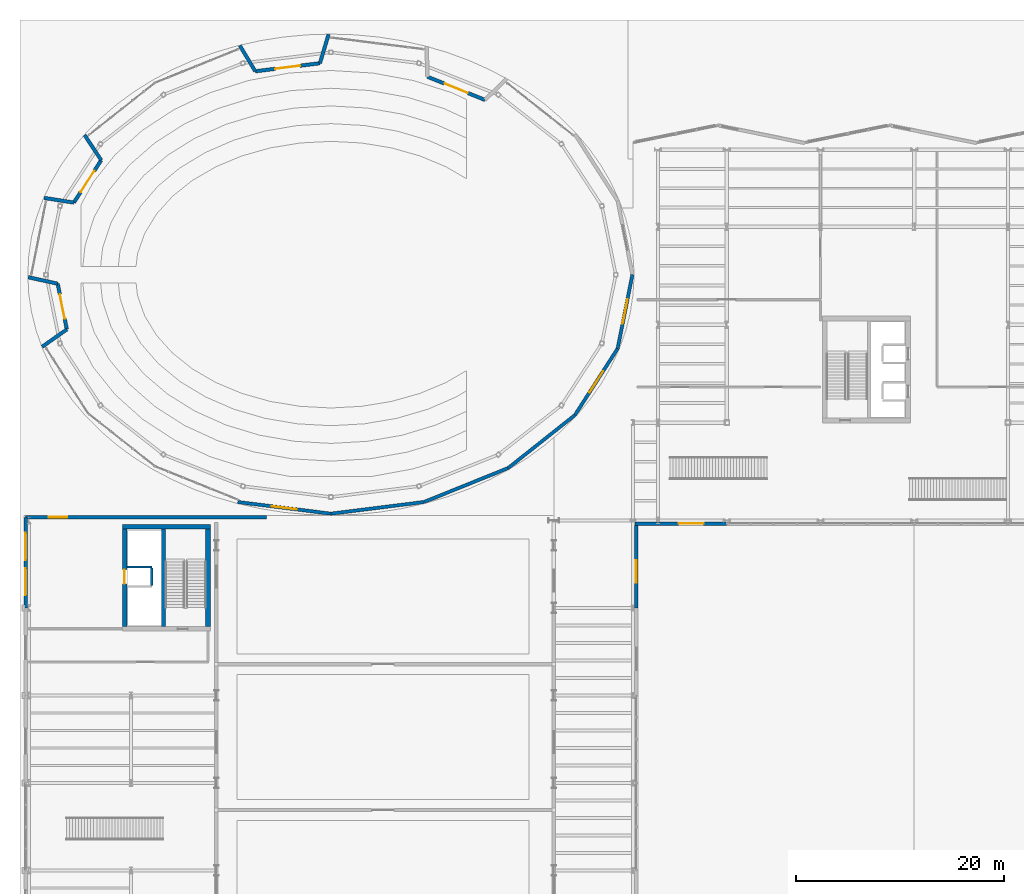
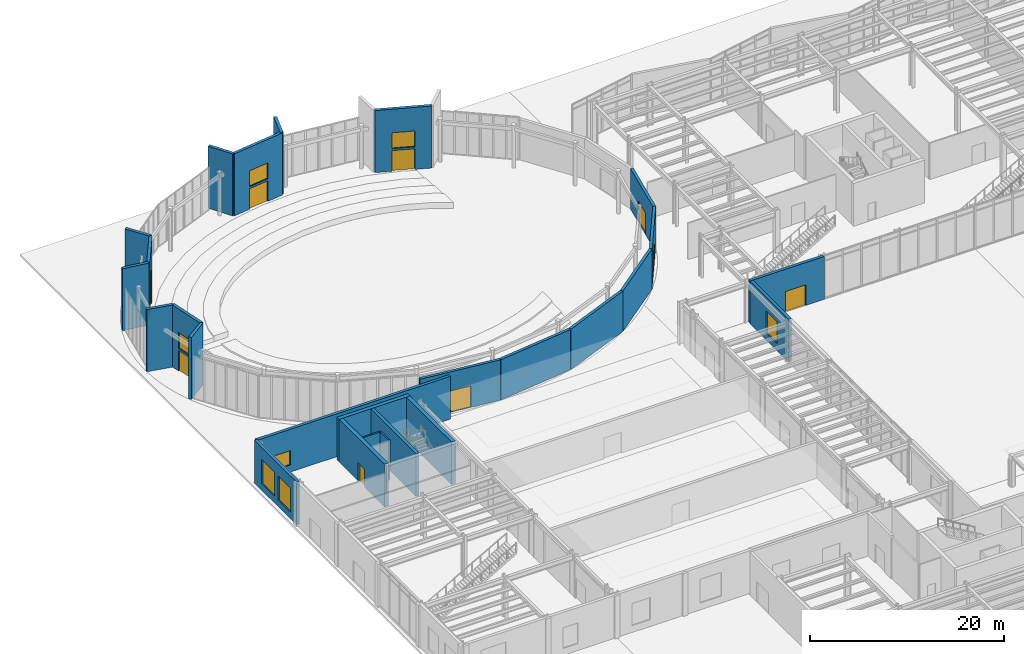
# One storey, part 75 of 94: 26 walls, 9 doors, 8 windows, 17 openings.
"""IFC4 building model written with IfcOpenShell, lengths in metres."""

from ifc_helpers import new_model, si_unit, direction, frame, frame_2d, origin, place, context, subcontext, project, spatial, rectangle, extrude, material, layer, layer_set, type_object, element, fill, save


model = new_model("IFC4")

# Units and contexts
model_context = context("Model", 3, precision=1e-05, world=origin(), true_north=direction((0.0, 1.0)))
body_context = subcontext(model_context, "Body", "Model", "MODEL_VIEW")
ifc_project = project(units=[si_unit("LENGTHUNIT", "METRE"), si_unit("AREAUNIT", "SQUARE_METRE"), si_unit("VOLUMEUNIT", "CUBIC_METRE"), si_unit("PLANEANGLEUNIT", "RADIAN"), si_unit("MASSUNIT", "GRAM", prefix="KILO")], contexts=[model_context])

# Site, building, storey
site_placement = place(None, origin())
site = spatial("IfcSite", under=ifc_project, at=site_placement, CompositionType="ELEMENT")
building_placement = place(site_placement, origin())
building = spatial("IfcBuilding", under=site, at=building_placement, Name="Sollismere Congress Hotel", CompositionType="ELEMENT")
storey_placement = place(building_placement, origin())
storey = spatial("IfcBuildingStorey", under=building, at=storey_placement, Name="L00", CompositionType="ELEMENT", Elevation=0.0)

# Wall, openings, door, window
ifc_material_1 = material(Name="Colorado Buff Sandstone and Limestone Backup C40/50", Category="masonry")
ifc_layer_1 = layer(ifc_material_1, 0.340087890625, Name="Colorado Buff Sandstone and Limestone Backup C40/50")
ifc_layer_set_1 = layer_set([ifc_layer_1], Name="Colorado Buff Sandstone and Limestone Backup C40/50")
wall_type_1 = type_object("IfcWallType", Name="WL-EXT340", PredefinedType="STANDARD", material=ifc_layer_set_1)
wall_1_placement = place(storey_placement, frame((43.78662109375, 107.1767578125, 0.0), z_axis=(0.0, 0.0, 1.0), x_axis=(-0.927458710945, 0.373925580152, 0.0)))
wall_1 = element("IfcWall", 1, at=wall_1_placement, inside=storey, type_object=wall_type_1, Name="Exterior wall EW-L00-011", PredefinedType="STANDARD", context=body_context, shape_type="SweptSolid", body=[
    extrude(rectangle(XDim=5.94140625, YDim=0.340087890625, at=frame_2d((2.970703125, 0.0))), origin(), (0.0, 0.0, 1.0), 7.820068359375),
])
opening_1_placement = place(wall_1_placement, frame((1.770751953125, 0.0, 0.0)))
opening_1 = element("IfcOpeningElement", 2, at=opening_1_placement, cuts=wall_1, Name="Opening D-L00-E02", PredefinedType="OPENING", context=body_context, shape_type="SweptSolid", body=[
    extrude(rectangle(XDim=2.39990234375, YDim=2.60009765625, at=frame_2d((1.199951171875, 1.300048828125))), frame((0.0, 0.179931640625, 0.0), z_axis=(0.0, -1.0, 0.0), x_axis=(1.0, 0.0, 0.0)), (0.0, 0.0, 1.0), 0.360107421875),
])
opening_2_placement = place(wall_1_placement, frame((1.770751953125, 0.0, 2.85009765625)))
opening_2 = element("IfcOpeningElement", 3, at=opening_2_placement, cuts=wall_1, Name="Opening W-L00-001", PredefinedType="OPENING", context=body_context, shape_type="SweptSolid", body=[
    extrude(rectangle(XDim=2.39990234375, YDim=2.0, at=frame_2d((1.199951171875, 1.0))), frame((0.0, 0.179931640625, 0.0), z_axis=(0.0, -1.0, 0.0), x_axis=(1.0, 0.0, 0.0)), (0.0, 0.0, 1.0), 0.360107421875),
])
ifc_material_2 = material(Name="Thermally Broken Bronze-Anodized Aluminum & Laminated Glass", Category="aluminium")
door_type_1 = type_object("IfcDoorType", Name="DR-EX240", OperationType="DOUBLE_DOOR_SINGLE_SWING", PredefinedType="DOOR", material=ifc_material_2)
door_1_placement = place(opening_1_placement, frame((2.39990234375, 0.0, 0.0), z_axis=(0.0, 0.0, 1.0), x_axis=(-1.0, 0.0, 0.0)))
door_1 = element("IfcDoor", 4, at=door_1_placement, inside=storey, type_object=door_type_1, Name="DOR-D-L00-E02", OperationType="DOUBLE_DOOR_SINGLE_SWING", OverallHeight=2.60009765625, OverallWidth=2.39990234375, PredefinedType="DOOR", context=body_context, shape_type="SweptSolid", body=[
    extrude(rectangle(XDim=2.39990234375, YDim=2.60009765625, at=frame_2d((1.199951171875, 1.300048828125))), frame((0.0, 0.02490234375, 0.0), z_axis=(0.0, -1.0, 0.0), x_axis=(1.0, 0.0, 0.0)), (0.0, 0.0, 1.0), 0.050048828125),
])
fill(opening_1, door_1)
ifc_material_3 = material(Name="Thermally Broken Bronze Aluminum & Low-E Glass", Category="aluminium")
window_type_1 = type_object("IfcWindowType", Name="WN-P240x200", PartitioningType="SINGLE_PANEL", PredefinedType="WINDOW", material=ifc_material_3)
window_1_placement = place(opening_2_placement, origin())
window_1 = element("IfcWindow", 5, at=window_1_placement, inside=storey, type_object=window_type_1, Name="WIN-W-L00-001", OverallHeight=2.0, OverallWidth=2.39990234375, PartitioningType="SINGLE_PANEL", PredefinedType="WINDOW", context=body_context, shape_type="SweptSolid", body=[
    extrude(rectangle(XDim=2.39990234375, YDim=2.0, at=frame_2d((1.199951171875, 1.0))), frame((0.0, 0.030029296875, 0.0), z_axis=(0.0, -1.0, 0.0), x_axis=(1.0, 0.0, 0.0)), (0.0, 0.0, 1.0), 0.06005859375),
])
fill(opening_2, window_1)

# Walls
wall_2_placement = place(storey_placement, frame((28.77783203125, 113.474853515625, 0.0), z_axis=(0.0, 0.0, 1.0), x_axis=(-0.286976718418, -0.957937556987, 0.0)))
element("IfcWall", 6, at=wall_2_placement, inside=storey, type_object=wall_type_1, Name="Exterior wall EW-L00-012", PredefinedType="STANDARD", context=body_context, shape_type="SweptSolid", body=[
    extrude(rectangle(XDim=2.896728515625, YDim=0.340087890625, at=frame_2d((1.4482421875, 0.0))), origin(), (0.0, 0.0, 1.0), 7.820068359375),
])
wall_3_placement = place(storey_placement, frame((21.741455078125, 109.922119140625, 0.0), z_axis=(0.0, 0.0, 1.0), x_axis=(-0.514495755428, 0.857492925713, 0.0)))
element("IfcWall", 7, at=wall_3_placement, inside=storey, type_object=wall_type_1, Name="Exterior wall EW-L00-013", PredefinedType="STANDARD", context=body_context, shape_type="SweptSolid", body=[
    extrude(rectangle(XDim=2.89697265625, YDim=0.340087890625, at=frame_2d((1.448486328125, 0.0))), origin(), (0.0, 0.0, 1.0), 7.820068359375),
])

# Wall, openings, door, window
wall_4_placement = place(storey_placement, frame((27.946533203125, 110.699951171875, 0.0), z_axis=(0.0, 0.0, 1.0), x_axis=(-0.992234572363, -0.124380679397, 0.0)))
wall_4 = element("IfcWall", 8, at=wall_4_placement, inside=storey, type_object=wall_type_1, Name="Exterior wall EW-L00-014", PredefinedType="STANDARD", context=body_context, shape_type="SweptSolid", body=[
    extrude(rectangle(XDim=6.253662109375, YDim=0.340087890625, at=frame_2d((3.126953125, 0.0))), origin(), (0.0, 0.0, 1.0), 7.820068359375),
])
opening_3_placement = place(wall_4_placement, frame((1.9267578125, 0.0, 0.0)))
opening_3 = element("IfcOpeningElement", 9, at=opening_3_placement, cuts=wall_4, Name="Opening D-L00-E03", PredefinedType="OPENING", context=body_context, shape_type="SweptSolid", body=[
    extrude(rectangle(XDim=2.39990234375, YDim=2.60009765625, at=frame_2d((1.199951171875, 1.300048828125))), frame((0.0, 0.179931640625, 0.0), z_axis=(0.0, -1.0, 0.0), x_axis=(1.0, 0.0, 0.0)), (0.0, 0.0, 1.0), 0.360107421875),
])
opening_4_placement = place(wall_4_placement, frame((1.9267578125, 0.0, 2.85009765625)))
opening_4 = element("IfcOpeningElement", 10, at=opening_4_placement, cuts=wall_4, Name="Opening W-L00-002", PredefinedType="OPENING", context=body_context, shape_type="SweptSolid", body=[
    extrude(rectangle(XDim=2.39990234375, YDim=2.0, at=frame_2d((1.199951171875, 1.0))), frame((0.0, 0.179931640625, 0.0), z_axis=(0.0, -1.0, 0.0), x_axis=(1.0, 0.0, 0.0)), (0.0, 0.0, 1.0), 0.360107421875),
])
door_2_placement = place(opening_3_placement, frame((2.39990234375, 0.0, 0.0), z_axis=(0.0, 0.0, 1.0), x_axis=(-1.0, 0.0, 0.0)))
door_2 = element("IfcDoor", 11, at=door_2_placement, inside=storey, type_object=door_type_1, Name="DOR-D-L00-E03", OperationType="DOUBLE_DOOR_SINGLE_SWING", OverallHeight=2.60009765625, OverallWidth=2.39990234375, PredefinedType="DOOR", context=body_context, shape_type="SweptSolid", body=[
    extrude(rectangle(XDim=2.39990234375, YDim=2.60009765625, at=frame_2d((1.199951171875, 1.300048828125))), frame((0.0, 0.02490234375, 0.0), z_axis=(0.0, -1.0, 0.0), x_axis=(1.0, 0.0, 0.0)), (0.0, 0.0, 1.0), 0.050048828125),
])
fill(opening_3, door_2)
window_2_placement = place(opening_4_placement, origin())
window_2 = element("IfcWindow", 12, at=window_2_placement, inside=storey, type_object=window_type_1, Name="WIN-W-L00-002", OverallHeight=2.0, OverallWidth=2.39990234375, PartitioningType="SINGLE_PANEL", PredefinedType="WINDOW", context=body_context, shape_type="SweptSolid", body=[
    extrude(rectangle(XDim=2.39990234375, YDim=2.0, at=frame_2d((1.199951171875, 1.0))), frame((0.0, 0.030029296875, 0.0), z_axis=(0.0, -1.0, 0.0), x_axis=(1.0, 0.0, 0.0)), (0.0, 0.0, 1.0), 0.06005859375),
])
fill(opening_4, window_2)

# Walls
wall_5_placement = place(storey_placement, frame((5.34912109375, 103.810302734375, 0.0), z_axis=(0.0, 0.0, 1.0), x_axis=(0.55043353984, -0.834878984176, 0.0)))
element("IfcWall", 13, at=wall_5_placement, inside=storey, type_object=wall_type_1, Name="Exterior wall EW-L00-015", PredefinedType="STANDARD", context=body_context, shape_type="SweptSolid", body=[
    extrude(rectangle(XDim=2.896728515625, YDim=0.340087890625, at=frame_2d((1.4482421875, 0.0))), origin(), (0.0, 0.0, 1.0), 7.820068359375),
])
wall_6_placement = place(storey_placement, frame((4.32177734375, 97.320068359375, 0.0), z_axis=(0.0, 0.0, 1.0), x_axis=(-0.987810751767, 0.155659624479, 0.0)))
element("IfcWall", 14, at=wall_6_placement, inside=storey, type_object=wall_type_1, Name="Exterior wall EW-L00-016", PredefinedType="STANDARD", context=body_context, shape_type="SweptSolid", body=[
    extrude(rectangle(XDim=2.89697265625, YDim=0.340087890625, at=frame_2d((1.448486328125, 0.0))), origin(), (0.0, 0.0, 1.0), 7.820068359375),
])

# Wall, openings, door, window
wall_7_placement = place(storey_placement, frame((6.943603515625, 101.391845703125, 0.0), z_axis=(0.0, 0.0, 1.0), x_axis=(-0.541379136321, -0.840778586048, 0.0)))
wall_7 = element("IfcWall", 15, at=wall_7_placement, inside=storey, type_object=wall_type_1, Name="Exterior wall EW-L00-017", PredefinedType="STANDARD", context=body_context, shape_type="SweptSolid", body=[
    extrude(rectangle(XDim=4.8427734375, YDim=0.340087890625, at=frame_2d((2.42138671875, 0.0))), origin(), (0.0, 0.0, 1.0), 7.820068359375),
])
opening_5_placement = place(wall_7_placement, frame((1.221435546875, 0.0, 0.0)))
opening_5 = element("IfcOpeningElement", 16, at=opening_5_placement, cuts=wall_7, Name="Opening D-L00-E04", PredefinedType="OPENING", context=body_context, shape_type="SweptSolid", body=[
    extrude(rectangle(XDim=2.39990234375, YDim=2.60009765625, at=frame_2d((1.199951171875, 1.300048828125))), frame((0.0, 0.179931640625, 0.0), z_axis=(0.0, -1.0, 0.0), x_axis=(1.0, 0.0, 0.0)), (0.0, 0.0, 1.0), 0.360107421875),
])
opening_6_placement = place(wall_7_placement, frame((1.221435546875, 0.0, 2.85009765625)))
opening_6 = element("IfcOpeningElement", 17, at=opening_6_placement, cuts=wall_7, Name="Opening W-L00-003", PredefinedType="OPENING", context=body_context, shape_type="SweptSolid", body=[
    extrude(rectangle(XDim=2.39990234375, YDim=2.0, at=frame_2d((1.199951171875, 1.0))), frame((0.0, 0.179931640625, 0.0), z_axis=(0.0, -1.0, 0.0), x_axis=(1.0, 0.0, 0.0)), (0.0, 0.0, 1.0), 0.360107421875),
])
door_3_placement = place(opening_5_placement, frame((2.39990234375, 0.0, 0.0), z_axis=(0.0, 0.0, 1.0), x_axis=(-1.0, 0.0, 0.0)))
door_3 = element("IfcDoor", 18, at=door_3_placement, inside=storey, type_object=door_type_1, Name="DOR-D-L00-E04", OperationType="DOUBLE_DOOR_SINGLE_SWING", OverallHeight=2.60009765625, OverallWidth=2.39990234375, PredefinedType="DOOR", context=body_context, shape_type="SweptSolid", body=[
    extrude(rectangle(XDim=2.39990234375, YDim=2.60009765625, at=frame_2d((1.199951171875, 1.300048828125))), frame((0.0, 0.02490234375, 0.0), z_axis=(0.0, -1.0, 0.0), x_axis=(1.0, 0.0, 0.0)), (0.0, 0.0, 1.0), 0.050048828125),
])
fill(opening_5, door_3)
window_3_placement = place(opening_6_placement, origin())
window_3 = element("IfcWindow", 19, at=window_3_placement, inside=storey, type_object=window_type_1, Name="WIN-W-L00-003", OverallHeight=2.0, OverallWidth=2.39990234375, PartitioningType="SINGLE_PANEL", PredefinedType="WINDOW", context=body_context, shape_type="SweptSolid", body=[
    extrude(rectangle(XDim=2.39990234375, YDim=2.0, at=frame_2d((1.199951171875, 1.0))), frame((0.0, 0.030029296875, 0.0), z_axis=(0.0, -1.0, 0.0), x_axis=(1.0, 0.0, 0.0)), (0.0, 0.0, 1.0), 0.06005859375),
])
fill(opening_6, window_3)

# Walls
for number, where, z_axis, x_axis, name in (
    (20, (-0.057861328125, 90.15478515625, 0.0), (0.0, 0.0, 1.0), (0.976280172004, -0.216511029168, 0.0), "Exterior wall EW-L00-018"),
    (21, (3.6474609375, 85.14501953125, 0.0), (0.0, 0.0, 1.0), (-0.817768220905, -0.575547684279, 0.0), "Exterior wall EW-L00-019"),
):
    element("IfcWall", number, at=place(storey_placement, frame(where, z_axis=z_axis, x_axis=x_axis)), inside=storey, type_object=wall_type_1, Name=name, PredefinedType="STANDARD", context=body_context, shape_type="SweptSolid", body=[
        extrude(rectangle(XDim=2.896728515625, YDim=0.340087890625, at=frame_2d((1.4482421875, 0.0))), origin(), (0.0, 0.0, 1.0), 7.820068359375),
    ])

# Wall, openings, door, window
wall_8_placement = place(storey_placement, frame((2.770263671875, 89.527587890625, 0.0), z_axis=(0.0, 0.0, 1.0), x_axis=(0.196263196922, -0.980551251865, 0.0)))
wall_8 = element("IfcWall", 22, at=wall_8_placement, inside=storey, type_object=wall_type_1, Name="Exterior wall EW-L00-020", PredefinedType="STANDARD", context=body_context, shape_type="SweptSolid", body=[
    extrude(rectangle(XDim=4.469482421875, YDim=0.340087890625, at=frame_2d((2.23486328125, 0.0))), origin(), (0.0, 0.0, 1.0), 7.820068359375),
])
opening_7_placement = place(wall_8_placement, frame((1.034912109375, 0.0, 0.0)))
opening_7 = element("IfcOpeningElement", 23, at=opening_7_placement, cuts=wall_8, Name="Opening D-L00-E05", PredefinedType="OPENING", context=body_context, shape_type="SweptSolid", body=[
    extrude(rectangle(XDim=2.39990234375, YDim=2.60009765625, at=frame_2d((1.199951171875, 1.300048828125))), frame((0.0, 0.179931640625, 0.0), z_axis=(0.0, -1.0, 0.0), x_axis=(1.0, 0.0, 0.0)), (0.0, 0.0, 1.0), 0.360107421875),
])
opening_8_placement = place(wall_8_placement, frame((1.034912109375, 0.0, 2.85009765625)))
opening_8 = element("IfcOpeningElement", 24, at=opening_8_placement, cuts=wall_8, Name="Opening W-L00-004", PredefinedType="OPENING", context=body_context, shape_type="SweptSolid", body=[
    extrude(rectangle(XDim=2.39990234375, YDim=2.0, at=frame_2d((1.199951171875, 1.0))), frame((0.0, 0.179931640625, 0.0), z_axis=(0.0, -1.0, 0.0), x_axis=(1.0, 0.0, 0.0)), (0.0, 0.0, 1.0), 0.360107421875),
])
door_4_placement = place(opening_7_placement, frame((2.39990234375, 0.0, 0.0), z_axis=(0.0, 0.0, 1.0), x_axis=(-1.0, 0.0, 0.0)))
door_4 = element("IfcDoor", 25, at=door_4_placement, inside=storey, type_object=door_type_1, Name="DOR-D-L00-E05", OperationType="DOUBLE_DOOR_SINGLE_SWING", OverallHeight=2.60009765625, OverallWidth=2.39990234375, PredefinedType="DOOR", context=body_context, shape_type="SweptSolid", body=[
    extrude(rectangle(XDim=2.39990234375, YDim=2.60009765625, at=frame_2d((1.199951171875, 1.300048828125))), frame((0.0, 0.02490234375, 0.0), z_axis=(0.0, -1.0, 0.0), x_axis=(1.0, 0.0, 0.0)), (0.0, 0.0, 1.0), 0.050048828125),
])
fill(opening_7, door_4)
window_4_placement = place(opening_8_placement, origin())
window_4 = element("IfcWindow", 26, at=window_4_placement, inside=storey, type_object=window_type_1, Name="WIN-W-L00-004", OverallHeight=2.0, OverallWidth=2.39990234375, PartitioningType="SINGLE_PANEL", PredefinedType="WINDOW", context=body_context, shape_type="SweptSolid", body=[
    extrude(rectangle(XDim=2.39990234375, YDim=2.0, at=frame_2d((1.199951171875, 1.0))), frame((0.0, 0.030029296875, 0.0), z_axis=(0.0, -1.0, 0.0), x_axis=(1.0, 0.0, 0.0)), (0.0, 0.0, 1.0), 0.06005859375),
])
fill(opening_8, window_4)

# Wall, opening, door
wall_9_placement = place(storey_placement, frame((58.179931640625, 66.489990234375, 0.0), z_axis=(0.0, 0.0, 1.0), x_axis=(1.0, 0.0, 0.0)))
wall_9 = element("IfcWall", 27, at=wall_9_placement, inside=storey, type_object=wall_type_1, Name="Exterior wall EW-L00-029", PredefinedType="STANDARD", context=body_context, shape_type="SweptSolid", body=[
    extrude(rectangle(XDim=8.820068359375, YDim=0.340087890625, at=frame_2d((4.41015625, 0.0))), origin(), (0.0, 0.0, 1.0), 5.39990234375),
])
opening_9_placement = place(wall_9_placement, frame((4.199951171875, 0.0, 0.0)))
opening_9 = element("IfcOpeningElement", 28, at=opening_9_placement, cuts=wall_9, Name="Opening D-L00-E07", PredefinedType="OPENING", context=body_context, shape_type="SweptSolid", body=[
    extrude(rectangle(XDim=2.39990234375, YDim=2.60009765625, at=frame_2d((1.199951171875, 1.300048828125))), frame((0.0, 0.179931640625, 0.0), z_axis=(0.0, -1.0, 0.0), x_axis=(1.0, 0.0, 0.0)), (0.0, 0.0, 1.0), 0.360107421875),
])
door_5_placement = place(opening_9_placement, origin())
door_5 = element("IfcDoor", 29, at=door_5_placement, inside=storey, type_object=door_type_1, Name="DOR-D-L00-E07", OperationType="DOUBLE_DOOR_SINGLE_SWING", OverallHeight=2.60009765625, OverallWidth=2.39990234375, PredefinedType="DOOR", context=body_context, shape_type="SweptSolid", body=[
    extrude(rectangle(XDim=2.39990234375, YDim=2.60009765625, at=frame_2d((1.199951171875, 1.300048828125))), frame((0.0, 0.02490234375, 0.0), z_axis=(0.0, -1.0, 0.0), x_axis=(1.0, 0.0, 0.0)), (0.0, 0.0, 1.0), 0.050048828125),
])
fill(opening_9, door_5)

# Wall, openings, windows
wall_10_placement = place(storey_placement, frame((-0.31005859375, 58.39990234375, 0.0), z_axis=(0.0, 0.0, 1.0), x_axis=(0.0, 1.0, 0.0)))
wall_10 = element("IfcWall", 30, at=wall_10_placement, inside=storey, type_object=wall_type_1, Name="Exterior wall EW-L00-101", PredefinedType="STANDARD", context=body_context, shape_type="SweptSolid", body=[
    extrude(rectangle(XDim=8.7001953125, YDim=0.340087890625, at=frame_2d((4.35009765625, 0.0))), origin(), (0.0, 0.0, 1.0), 5.39990234375),
])
opening_10_placement = place(wall_10_placement, frame((1.199951171875, 0.0, 0.85009765625)))
opening_10 = element("IfcOpeningElement", 31, at=opening_10_placement, cuts=wall_10, Name="Opening W-L00-098", PredefinedType="OPENING", context=body_context, shape_type="SweptSolid", body=[
    extrude(rectangle(XDim=2.60009765625, YDim=3.0, at=frame_2d((1.300048828125, 1.5))), frame((0.0, 0.179931640625, 0.0), z_axis=(0.0, -1.0, 0.0), x_axis=(1.0, 0.0, 0.0)), (0.0, 0.0, 1.0), 0.360107421875),
])
opening_11_placement = place(wall_10_placement, frame((4.60009765625, 0.0, 0.85009765625)))
opening_11 = element("IfcOpeningElement", 32, at=opening_11_placement, cuts=wall_10, Name="Opening W-L00-099", PredefinedType="OPENING", context=body_context, shape_type="SweptSolid", body=[
    extrude(rectangle(XDim=2.60009765625, YDim=3.0, at=frame_2d((1.300048828125, 1.5))), frame((0.0, 0.179931640625, 0.0), z_axis=(0.0, -1.0, 0.0), x_axis=(1.0, 0.0, 0.0)), (0.0, 0.0, 1.0), 0.360107421875),
])
window_type_2 = type_object("IfcWindowType", Name="WN-A260x300", PartitioningType="SINGLE_PANEL", PredefinedType="WINDOW", material=ifc_material_3)
window_5_placement = place(opening_10_placement, origin())
window_5 = element("IfcWindow", 33, at=window_5_placement, inside=storey, type_object=window_type_2, Name="WIN-W-L00-098", OverallHeight=3.0, OverallWidth=2.60009765625, PartitioningType="SINGLE_PANEL", PredefinedType="WINDOW", context=body_context, shape_type="SweptSolid", body=[
    extrude(rectangle(XDim=2.60009765625, YDim=3.0, at=frame_2d((1.300048828125, 1.5))), frame((0.0, 0.030029296875, 0.0), z_axis=(0.0, -1.0, 0.0), x_axis=(1.0, 0.0, 0.0)), (0.0, 0.0, 1.0), 0.06005859375),
])
fill(opening_10, window_5)
window_6_placement = place(opening_11_placement, origin())
window_6 = element("IfcWindow", 34, at=window_6_placement, inside=storey, type_object=window_type_2, Name="WIN-W-L00-099", OverallHeight=3.0, OverallWidth=2.60009765625, PartitioningType="SINGLE_PANEL", PredefinedType="WINDOW", context=body_context, shape_type="SweptSolid", body=[
    extrude(rectangle(XDim=2.60009765625, YDim=3.0, at=frame_2d((1.300048828125, 1.5))), frame((0.0, 0.030029296875, 0.0), z_axis=(0.0, -1.0, 0.0), x_axis=(1.0, 0.0, 0.0)), (0.0, 0.0, 1.0), 0.06005859375),
])
fill(opening_11, window_6)

# Wall, opening, window
wall_11_placement = place(storey_placement, frame((-0.300048828125, 67.110107421875, 0.0), z_axis=(0.0, 0.0, 1.0), x_axis=(1.0, 0.0, 0.0)))
wall_11 = element("IfcWall", 35, at=wall_11_placement, inside=storey, type_object=wall_type_1, Name="Exterior wall EW-L00-111", PredefinedType="STANDARD", context=body_context, shape_type="SweptSolid", body=[
    extrude(rectangle(XDim=23.10009765625, YDim=0.340087890625, at=frame_2d((11.550048828125, 0.0))), origin(), (0.0, 0.0, 1.0), 5.39990234375),
])
opening_12_placement = place(wall_11_placement, frame((2.199951171875, 0.0, 0.89990234375)))
opening_12 = element("IfcOpeningElement", 36, at=opening_12_placement, cuts=wall_11, Name="Opening W-L00-104", PredefinedType="OPENING", context=body_context, shape_type="SweptSolid", body=[
    extrude(rectangle(XDim=1.800048828125, YDim=1.800048828125, at=frame_2d((0.89990234375, 0.89990234375))), frame((0.0, 0.179931640625, 0.0), z_axis=(0.0, -1.0, 0.0), x_axis=(1.0, 0.0, 0.0)), (0.0, 0.0, 1.0), 0.360107421875),
])
window_type_3 = type_object("IfcWindowType", Name="WN-P180x180", PartitioningType="SINGLE_PANEL", PredefinedType="WINDOW", material=ifc_material_3)
window_7_placement = place(opening_12_placement, origin())
window_7 = element("IfcWindow", 37, at=window_7_placement, inside=storey, type_object=window_type_3, Name="WIN-W-L00-104", OverallHeight=1.800048828125, OverallWidth=1.800048828125, PartitioningType="SINGLE_PANEL", PredefinedType="WINDOW", context=body_context, shape_type="SweptSolid", body=[
    extrude(rectangle(XDim=1.800048828125, YDim=1.800048828125, at=frame_2d((0.89990234375, 0.89990234375))), frame((0.0, 0.030029296875, 0.0), z_axis=(0.0, -1.0, 0.0), x_axis=(1.0, 0.0, 0.0)), (0.0, 0.0, 1.0), 0.06005859375),
])
fill(opening_12, window_7)

wall_12_placement = place(storey_placement, frame((58.31005859375, 58.39990234375, 0.0), z_axis=(0.0, 0.0, 1.0), x_axis=(0.0, 1.0, 0.0)))
wall_12 = element("IfcWall", 38, at=wall_12_placement, inside=storey, type_object=wall_type_1, Name="Exterior wall EW-L00-116", PredefinedType="STANDARD", context=body_context, shape_type="SweptSolid", body=[
    extrude(rectangle(XDim=7.918212890625, YDim=0.340087890625, at=frame_2d((3.958984375, 0.0))), origin(), (0.0, 0.0, 1.0), 5.39990234375),
])
opening_13_placement = place(wall_12_placement, frame((2.39990234375, 0.0, 0.85009765625)))
opening_13 = element("IfcOpeningElement", 39, at=opening_13_placement, cuts=wall_12, Name="Opening W-L00-107", PredefinedType="OPENING", context=body_context, shape_type="SweptSolid", body=[
    extrude(rectangle(XDim=2.199951171875, YDim=2.800048828125, at=frame_2d((1.10009765625, 1.39990234375))), frame((0.0, 0.179931640625, 0.0), z_axis=(0.0, -1.0, 0.0), x_axis=(1.0, 0.0, 0.0)), (0.0, 0.0, 1.0), 0.360107421875),
])
window_type_4 = type_object("IfcWindowType", Name="WN-A220x280", PartitioningType="SINGLE_PANEL", PredefinedType="WINDOW", material=ifc_material_3)
window_8_placement = place(opening_13_placement, origin())
window_8 = element("IfcWindow", 40, at=window_8_placement, inside=storey, type_object=window_type_4, Name="WIN-W-L00-107", OverallHeight=2.800048828125, OverallWidth=2.199951171875, PartitioningType="SINGLE_PANEL", PredefinedType="WINDOW", context=body_context, shape_type="SweptSolid", body=[
    extrude(rectangle(XDim=2.199951171875, YDim=2.800048828125, at=frame_2d((1.10009765625, 1.39990234375))), frame((0.0, 0.030029296875, 0.0), z_axis=(0.0, -1.0, 0.0), x_axis=(1.0, 0.0, 0.0)), (0.0, 0.0, 1.0), 0.06005859375),
])
fill(opening_13, window_8)

# Walls
ifc_material_4 = material(Name="Moisture-Resistant Shaft Gypsum Assembly")
ifc_layer_2 = layer(ifc_material_4, 0.199951171875, Name="Moisture-Resistant Shaft Gypsum Assembly")
ifc_layer_set_2 = layer_set([ifc_layer_2], Name="Moisture-Resistant Shaft Gypsum Assembly")
wall_type_2 = type_object("IfcWallType", Name="WL-PLM200", PredefinedType="PLUMBINGWALL", material=ifc_layer_set_2)
wall_13_placement = place(storey_placement, frame((9.43701171875, 62.344970703125, 0.0), z_axis=(0.0, 0.0, 1.0), x_axis=(1.0, 0.0, 0.0)))
element("IfcWall", 41, at=wall_13_placement, inside=storey, type_object=wall_type_2, Name="Interior wall IW-L00-0645", PredefinedType="PLUMBINGWALL", context=body_context, shape_type="SweptSolid", body=[
    extrude(rectangle(XDim=2.363037109375, YDim=0.199951171875, at=frame_2d((1.181640625, 0.0))), origin(), (0.0, 0.0, 1.0), 5.090087890625),
])
wall_14_placement = place(storey_placement, frame((11.800048828125, 60.56689453125, 0.0), z_axis=(0.0, 0.0, 1.0), x_axis=(0.0, 1.0, 0.0)))
element("IfcWall", 42, at=wall_14_placement, inside=storey, type_object=wall_type_2, Name="Interior wall IW-L00-0646", PredefinedType="PLUMBINGWALL", context=body_context, shape_type="SweptSolid", body=[
    extrude(rectangle(XDim=1.666015625, YDim=0.199951171875, at=frame_2d((0.8330078125, 0.0))), origin(), (0.0, 0.0, 1.0), 5.090087890625),
])
ifc_material_5 = material(Name="Concrete C50/60", Category="concrete")
ifc_layer_3 = layer(ifc_material_5, 0.35009765625, Name="Concrete C50/60")
ifc_layer_set_3 = layer_set([ifc_layer_3], Name="Concrete C50/60")
wall_type_3 = type_object("IfcWallType", Name="WL-SHR350", PredefinedType="SHEAR", material=ifc_layer_set_3)
wall_15_placement = place(storey_placement, frame((12.925048828125, 56.625, 0.0), z_axis=(0.0, 0.0, 1.0), x_axis=(0.0, 1.0, 0.0)))
element("IfcWall", 43, at=wall_15_placement, inside=storey, type_object=wall_type_3, Name="Interior wall IW-L00-0643", PredefinedType="SHEAR", context=body_context, shape_type="SweptSolid", body=[
    extrude(rectangle(XDim=9.35009765625, YDim=0.35009765625, at=frame_2d((4.675048828125, 0.0))), origin(), (0.0, 0.0, 1.0), 5.39990234375),
])
ifc_layer_4 = layer(ifc_material_5, 0.449951171875, Name="Concrete C50/60")
ifc_layer_set_4 = layer_set([ifc_layer_4], Name="Concrete C50/60")
wall_type_4 = type_object("IfcWallType", Name="WL-SHR450", PredefinedType="SHEAR", material=ifc_layer_set_4)
wall_16_placement = place(storey_placement, frame((17.425048828125, 66.199951171875, 0.0), z_axis=(0.0, 0.0, 1.0), x_axis=(-1.0, 0.0, 0.0)))
element("IfcWall", 44, at=wall_16_placement, inside=storey, type_object=wall_type_4, Name="Interior wall IW-L00-0640", PredefinedType="SHEAR", context=body_context, shape_type="SweptSolid", body=[
    extrude(rectangle(XDim=8.449951171875, YDim=0.449951171875, at=frame_2d((4.22509765625, 0.0))), origin(), (0.0, 0.0, 1.0), 5.39990234375),
])

# Wall, opening, door
wall_17_placement = place(storey_placement, frame((9.199951171875, 65.97509765625, 0.0), z_axis=(0.0, 0.0, 1.0), x_axis=(0.0, -1.0, 0.0)))
wall_17 = element("IfcWall", 45, at=wall_17_placement, inside=storey, type_object=wall_type_4, Name="Interior wall IW-L00-0641", PredefinedType="SHEAR", context=body_context, shape_type="SweptSolid", body=[
    extrude(rectangle(XDim=9.35009765625, YDim=0.449951171875, at=frame_2d((4.675048828125, 0.0))), origin(), (0.0, 0.0, 1.0), 5.39990234375),
])
opening_14_placement = place(wall_17_placement, frame((3.89990234375, 0.0, 0.0)))
opening_14 = element("IfcOpeningElement", 46, at=opening_14_placement, cuts=wall_17, Name="Opening LD-LS-03-L00", PredefinedType="OPENING", context=body_context, shape_type="SweptSolid", body=[
    extrude(rectangle(XDim=1.35009765625, YDim=2.300048828125, at=frame_2d((0.675048828125, 1.14990234375))), frame((0.0, 0.23486328125, 0.0), z_axis=(0.0, -1.0, 0.0), x_axis=(1.0, 0.0, 0.0)), (0.0, 0.0, 1.0), 0.469970703125),
])
ifc_material_6 = material(Name="Heavy-Duty Stainless Sliding Service Landing Door")
door_type_2 = type_object("IfcDoorType", Name="DR-LD135", OperationType="NOTDEFINED", PredefinedType="DOOR", material=ifc_material_6)
door_6_placement = place(opening_14_placement, origin())
door_6 = element("IfcDoor", 47, at=door_6_placement, inside=storey, type_object=door_type_2, Name="Elevator landing door LD-LS-03-L00", OperationType="SLIDING_TO_LEFT", OverallHeight=2.300048828125, OverallWidth=1.35009765625, PredefinedType="DOOR", context=body_context, shape_type="SweptSolid", body=[
    extrude(rectangle(XDim=1.35009765625, YDim=2.300048828125, at=frame_2d((0.675048828125, 1.14990234375))), frame((0.0, 0.02490234375, 0.0), z_axis=(0.0, -1.0, 0.0), x_axis=(1.0, 0.0, 0.0)), (0.0, 0.0, 1.0), 0.050048828125),
])
fill(opening_14, door_6)

# Wall
wall_18_placement = place(storey_placement, frame((17.199951171875, 56.625, 0.0), z_axis=(0.0, 0.0, 1.0), x_axis=(0.0, 1.0, 0.0)))
element("IfcWall", 48, at=wall_18_placement, inside=storey, type_object=wall_type_4, Name="Interior wall IW-L00-0642", PredefinedType="SHEAR", context=body_context, shape_type="SweptSolid", body=[
    extrude(rectangle(XDim=9.35009765625, YDim=0.449951171875, at=frame_2d((4.675048828125, 0.0))), origin(), (0.0, 0.0, 1.0), 5.39990234375),
])

# Wall, opening, door
ifc_material_7 = material(Name="Acoustic Double-Wythe Concrete Block & Gypsum C40/50", Category="concrete")
ifc_layer_5 = layer(ifc_material_7, 0.320068359375, Name="Acoustic Double-Wythe Concrete Block & Gypsum C40/50")
ifc_layer_set_5 = layer_set([ifc_layer_5], Name="Acoustic Double-Wythe Concrete Block & Gypsum C40/50")
wall_type_5 = type_object("IfcWallType", Name="WL-SLD320I", PredefinedType="PARTITIONING", material=ifc_layer_set_5)
wall_19_placement = place(storey_placement, frame((20.053955078125, 68.5732421875, 0.0), z_axis=(0.0, 0.0, 1.0), x_axis=(0.992208988592, -0.124584601602, 0.0)))
wall_19 = element("IfcWall", 49, at=wall_19_placement, inside=storey, type_object=wall_type_5, Name="Interior wall IW-L00-0737", PredefinedType="PARTITIONING", context=body_context, shape_type="SweptSolid", body=[
    extrude(rectangle(XDim=9.016357421875, YDim=0.320068359375, at=frame_2d((4.50830078125, 0.0))), origin(), (0.0, 0.0, 1.0), 5.090087890625),
])
opening_15_placement = place(wall_19_placement, frame((3.30810546875, 0.0, 0.0)))
opening_15 = element("IfcOpeningElement", 50, at=opening_15_placement, cuts=wall_19, Name="Opening D-L00-0242", PredefinedType="OPENING", context=body_context, shape_type="SweptSolid", body=[
    extrude(rectangle(XDim=2.39990234375, YDim=2.699951171875, at=frame_2d((1.199951171875, 1.35009765625))), frame((0.0, 0.169921875, 0.0), z_axis=(0.0, -1.0, 0.0), x_axis=(1.0, 0.0, 0.0)), (0.0, 0.0, 1.0), 0.340087890625),
])
ifc_material_8 = material(Name="Acoustic Walnut Double Ballroom Door")
door_type_3 = type_object("IfcDoorType", Name="DR-BL240", OperationType="NOTDEFINED", PredefinedType="DOOR", material=ifc_material_8)
door_7_placement = place(opening_15_placement, origin())
door_7 = element("IfcDoor", 51, at=door_7_placement, inside=storey, type_object=door_type_3, Name="Congress hall acoustic foyer door D-L00-0242", OperationType="DOUBLE_DOOR_SINGLE_SWING", OverallHeight=2.699951171875, OverallWidth=2.39990234375, PredefinedType="DOOR", context=body_context, shape_type="SweptSolid", body=[
    extrude(rectangle(XDim=2.39990234375, YDim=2.699951171875, at=frame_2d((1.199951171875, 1.35009765625))), frame((0.0, 0.02490234375, 0.0), z_axis=(0.0, -1.0, 0.0), x_axis=(1.0, 0.0, 0.0)), (0.0, 0.0, 1.0), 0.050048828125),
])
fill(opening_15, door_7)

# Walls
wall_20_placement = place(storey_placement, frame((29.0, 67.449951171875, 0.0), z_axis=(0.0, 0.0, 1.0), x_axis=(0.992208988592, 0.124584601602, 0.0)))
element("IfcWall", 52, at=wall_20_placement, inside=storey, type_object=wall_type_5, Name="Interior wall IW-L00-0738", PredefinedType="PARTITIONING", context=body_context, shape_type="SweptSolid", body=[
    extrude(rectangle(XDim=9.016357421875, YDim=0.320068359375, at=frame_2d((4.50830078125, 0.0))), origin(), (0.0, 0.0, 1.0), 5.090087890625),
])
wall_21_placement = place(storey_placement, frame((37.946044921875, 68.5732421875, 0.0), z_axis=(0.0, 0.0, 1.0), x_axis=(0.92721786123, 0.37452241297, 0.0)))
element("IfcWall", 53, at=wall_21_placement, inside=storey, type_object=wall_type_5, Name="Interior wall IW-L00-0739", PredefinedType="PARTITIONING", context=body_context, shape_type="SweptSolid", body=[
    extrude(rectangle(XDim=8.703857421875, YDim=0.320068359375, at=frame_2d((4.35205078125, 0.0))), origin(), (0.0, 0.0, 1.0), 5.090087890625),
])
wall_22_placement = place(storey_placement, frame((46.016357421875, 71.8330078125, 0.0), z_axis=(0.0, 0.0, 1.0), x_axis=(0.783621031074, 0.621239148524, 0.0)))
element("IfcWall", 54, at=wall_22_placement, inside=storey, type_object=wall_type_5, Name="Interior wall IW-L00-0740", PredefinedType="PARTITIONING", context=body_context, shape_type="SweptSolid", body=[
    extrude(rectangle(XDim=8.173095703125, YDim=0.320068359375, at=frame_2d((4.08642578125, 0.0))), origin(), (0.0, 0.0, 1.0), 5.090087890625),
])

# Wall, opening, door
wall_23_placement = place(storey_placement, frame((52.4208984375, 76.910400390625, 0.0), z_axis=(0.0, 0.0, 1.0), x_axis=(0.540710539792, 0.841208720924, 0.0)))
wall_23 = element("IfcWall", 55, at=wall_23_placement, inside=storey, type_object=wall_type_5, Name="Interior wall IW-L00-0741", PredefinedType="PARTITIONING", context=body_context, shape_type="SweptSolid", body=[
    extrude(rectangle(XDim=7.60546875, YDim=0.320068359375, at=frame_2d((3.802734375, 0.0))), origin(), (0.0, 0.0, 1.0), 5.090087890625),
])
opening_16_placement = place(wall_23_placement, frame((2.60302734375, 0.0, 0.0)))
opening_16 = element("IfcOpeningElement", 56, at=opening_16_placement, cuts=wall_23, Name="Opening D-L00-0243", PredefinedType="OPENING", context=body_context, shape_type="SweptSolid", body=[
    extrude(rectangle(XDim=2.39990234375, YDim=2.699951171875, at=frame_2d((1.199951171875, 1.35009765625))), frame((0.0, 0.169921875, 0.0), z_axis=(0.0, -1.0, 0.0), x_axis=(1.0, 0.0, 0.0)), (0.0, 0.0, 1.0), 0.340087890625),
])
door_8_placement = place(opening_16_placement, origin())
door_8 = element("IfcDoor", 57, at=door_8_placement, inside=storey, type_object=door_type_3, Name="Congress hall acoustic foyer door D-L00-0243", OperationType="DOUBLE_DOOR_SINGLE_SWING", OverallHeight=2.699951171875, OverallWidth=2.39990234375, PredefinedType="DOOR", context=body_context, shape_type="SweptSolid", body=[
    extrude(rectangle(XDim=2.39990234375, YDim=2.699951171875, at=frame_2d((1.199951171875, 1.35009765625))), frame((0.0, 0.02490234375, 0.0), z_axis=(0.0, -1.0, 0.0), x_axis=(1.0, 0.0, 0.0)), (0.0, 0.0, 1.0), 0.050048828125),
])
fill(opening_16, door_8)

wall_24_placement = place(storey_placement, frame((56.533203125, 83.30810546875, 0.0), z_axis=(0.0, 0.0, 1.0), x_axis=(0.195901892383, 0.980623499902, 0.0)))
wall_24 = element("IfcWall", 58, at=wall_24_placement, inside=storey, type_object=wall_type_5, Name="Interior wall IW-L00-0742", PredefinedType="PARTITIONING", context=body_context, shape_type="SweptSolid", body=[
    extrude(rectangle(XDim=7.23193359375, YDim=0.320068359375, at=frame_2d((3.615966796875, 0.0))), origin(), (0.0, 0.0, 1.0), 5.090087890625),
])
opening_17_placement = place(wall_24_placement, frame((2.416015625, 0.0, 0.0)))
opening_17 = element("IfcOpeningElement", 59, at=opening_17_placement, cuts=wall_24, Name="Opening D-L00-0244", PredefinedType="OPENING", context=body_context, shape_type="SweptSolid", body=[
    extrude(rectangle(XDim=2.39990234375, YDim=2.699951171875, at=frame_2d((1.199951171875, 1.35009765625))), frame((0.0, 0.169921875, 0.0), z_axis=(0.0, -1.0, 0.0), x_axis=(1.0, 0.0, 0.0)), (0.0, 0.0, 1.0), 0.340087890625),
])
door_9_placement = place(opening_17_placement, origin())
door_9 = element("IfcDoor", 60, at=door_9_placement, inside=storey, type_object=door_type_3, Name="Congress hall acoustic foyer door D-L00-0244", OperationType="DOUBLE_DOOR_SINGLE_SWING", OverallHeight=2.699951171875, OverallWidth=2.39990234375, PredefinedType="DOOR", context=body_context, shape_type="SweptSolid", body=[
    extrude(rectangle(XDim=2.39990234375, YDim=2.699951171875, at=frame_2d((1.199951171875, 1.35009765625))), frame((0.0, 0.02490234375, 0.0), z_axis=(0.0, -1.0, 0.0), x_axis=(1.0, 0.0, 0.0)), (0.0, 0.0, 1.0), 0.050048828125),
])
fill(opening_17, door_9)

save(model, "model.ifc")
